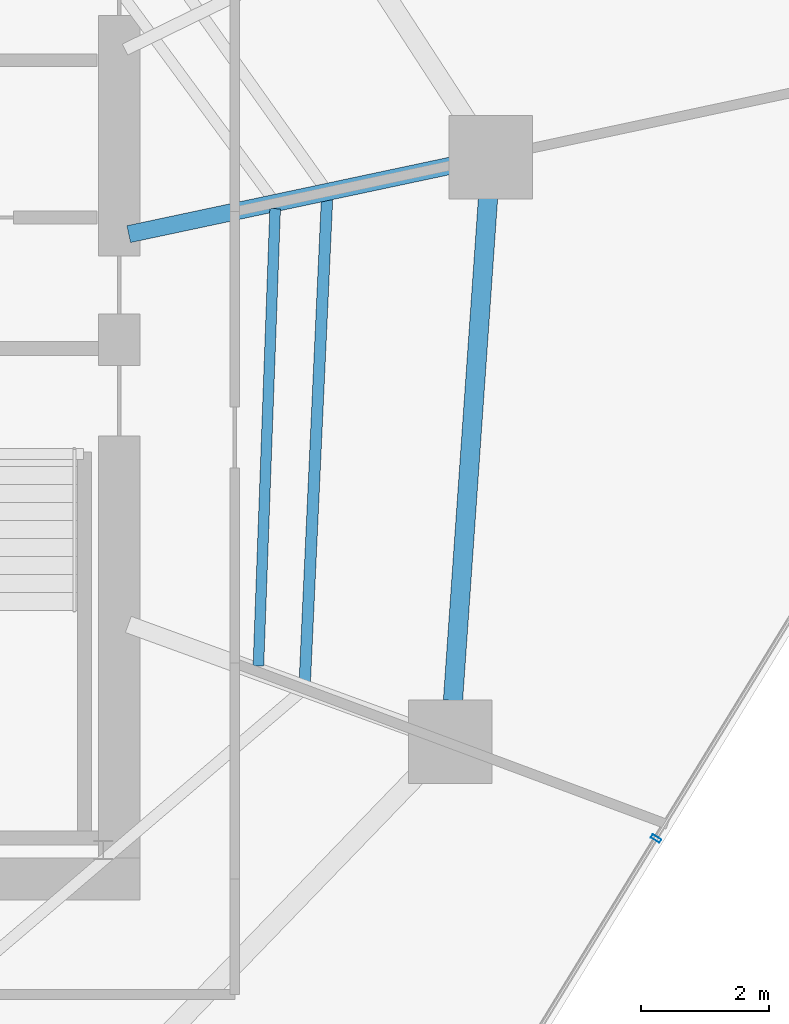
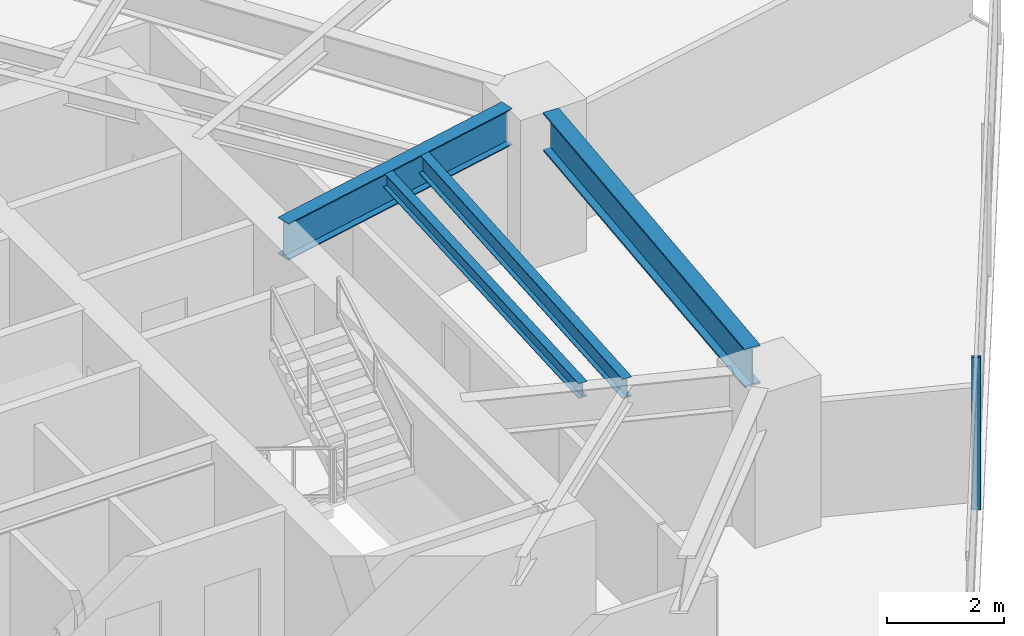
# One storey, part 13 of 30: 4 beams, 1 member, 1 element without a shape of its own.
"""IFC4 building model written with IfcOpenShell, lengths in metres."""

import ifcopenshell
import ifcopenshell.guid

model = None  # the IFC model being written
_history = None  # IfcOwnerHistory: only IFC2X3 demands one
_inside = {}  # id of a spatial element -> (the spatial element, [elements in it])
_under = {}  # id of a project, library or spatial element -> (it, [spatial elements below it])
_declared = {}  # id of a project -> (the project, [libraries it declares])
_typed = {}  # id of a type object -> (the type object, [elements of that type])
_made_of = {}  # id of a material, layer set ... -> (it, [elements and type objects made of it])


def new_model(schema):
    """Start an empty IFC model of exactly this schema.

    Asked for "IFC4X3", IfcOpenShell would pick the latest addendum, in which some entities
    have other attributes; the version numbers below select the first issue.
    IFC2X3 requires an IfcOwnerHistory on every rooted entity: one is made here for all.
    """
    global model, _history
    if schema == "IFC4X3":
        model = ifcopenshell.file(schema_version=(4, 3, 0, 0))
    else:
        model = ifcopenshell.file(schema=schema)
    _inside.clear()
    _under.clear()
    _declared.clear()
    _typed.clear()
    _made_of.clear()
    _history = None
    if model.schema == "IFC2X3":
        org = make("IfcOrganization", Name="unknown")
        user = make(
            "IfcPersonAndOrganization",
            ThePerson=make("IfcPerson", FamilyName="unknown"),
            TheOrganization=org,
        )
        app = make(
            "IfcApplication",
            ApplicationDeveloper=org,
            Version="unknown",
            ApplicationFullName="unknown",
            ApplicationIdentifier="unknown",
        )
        _history = make(
            "IfcOwnerHistory",
            OwningUser=user,
            OwningApplication=app,
            ChangeAction="ADDED",
            CreationDate=0,
        )
    return model


def make(cls, **values):
    """One entity of the class cls with the attributes given. An attribute that is None is left unset."""
    return model.create_entity(
        cls, **{name: value for name, value in values.items() if value is not None}
    )


def rooted(cls, **values):
    """An entity with a GlobalId (a new one), such as an element, a storey or a relation."""
    return make(cls, GlobalId=ifcopenshell.guid.new(), OwnerHistory=_history, **values)


def si_unit(unit_type, name, prefix=None):
    """IfcSIUnit, for example si_unit("LENGTHUNIT", "METRE", prefix="MILLI")."""
    return make("IfcSIUnit", UnitType=unit_type, Prefix=prefix, Name=name)


def assignment(units):
    """IfcUnitAssignment: the units of a project."""
    return None if units is None else make("IfcUnitAssignment", Units=units)


def point(xyz):
    """IfcCartesianPoint."""
    return None if xyz is None else make("IfcCartesianPoint", Coordinates=xyz)


def direction(xyz):
    """IfcDirection."""
    return None if xyz is None else make("IfcDirection", DirectionRatios=xyz)


def frame(location, z_axis=None, x_axis=None):
    """IfcAxis2Placement3D, a coordinate frame: its origin and axes. An axis left out is left unset."""
    return make(
        "IfcAxis2Placement3D",
        Location=point(location),
        Axis=direction(z_axis),
        RefDirection=direction(x_axis),
    )


def frame_2d(location, x_axis=None):
    """IfcAxis2Placement2D, a coordinate frame in the plane: its origin and x axis."""
    return make(
        "IfcAxis2Placement2D", Location=point(location), RefDirection=direction(x_axis)
    )


def origin():
    """The frame at (0, 0, 0) with its axes left unset."""
    return frame((0.0, 0.0, 0.0))


def origin_2d():
    """The frame at (0, 0) in the plane with its x axis left unset."""
    return frame_2d((0.0, 0.0))


def place(relative_to, where):
    """IfcLocalPlacement: puts the frame where relative to a parent placement (None: the world)."""
    return make(
        "IfcLocalPlacement", PlacementRelTo=relative_to, RelativePlacement=where
    )


def context(
    kind, dimensions, precision=None, world=None, true_north=None, identifier=None
):
    """IfcGeometricRepresentationContext, for example the 3D "Model" context."""
    return make(
        "IfcGeometricRepresentationContext",
        ContextIdentifier=identifier,
        ContextType=kind,
        CoordinateSpaceDimension=dimensions,
        Precision=precision,
        WorldCoordinateSystem=world,
        TrueNorth=true_north,
    )


def subcontext(parent, identifier, kind, view, scale=None):
    """IfcGeometricRepresentationSubContext, for example "Body" below "Model"."""
    return make(
        "IfcGeometricRepresentationSubContext",
        ContextIdentifier=identifier,
        ContextType=kind,
        ParentContext=parent,
        TargetScale=scale,
        TargetView=view,
    )


def project(units=None, contexts=None):
    """IfcProject with its units and contexts."""
    return rooted(
        "IfcProject",
        Name="project",
        RepresentationContexts=contexts,
        UnitsInContext=assignment(units),
    )


def spatial(cls, under=None, at=None, **own):
    """A site, building, storey or space (cls), placed at a placement, below another one or the project."""
    s = rooted(cls, ObjectPlacement=at, **own)
    if under is not None:
        _under.setdefault(under.id(), (under, []))[1].append(s)
    return s


def profile(cls, at=None, kind="AREA", **sizes):
    """A parametric profile (cls). Its sizes go by their IFC names, for example OverallWidth=200.0."""
    return make(cls, ProfileType=kind, Position=at, **sizes)


def hollow_rectangle(**sizes):
    """IfcRectangleHollowProfileDef."""
    return profile("IfcRectangleHollowProfileDef", **sizes)


def i_section(**sizes):
    """IfcIShapeProfileDef."""
    return profile("IfcIShapeProfileDef", **sizes)


def extrude(swept, where, along, depth):
    """IfcExtrudedAreaSolid: the profile swept, set in the frame where, extruded along a direction by depth."""
    return make(
        "IfcExtrudedAreaSolid",
        SweptArea=swept,
        Position=where,
        ExtrudedDirection=direction(along),
        Depth=depth,
    )


def shape(context_of_items, identifier, shape_type, items):
    """IfcShapeRepresentation: the items that make up one representation, for example the "Body"."""
    return make(
        "IfcShapeRepresentation",
        ContextOfItems=context_of_items,
        RepresentationIdentifier=identifier,
        RepresentationType=shape_type,
        Items=items,
    )


def material(Name=None, Category=None):
    """IfcMaterial."""
    return make("IfcMaterial", Name=Name, Category=Category)


def layer(
    of_material, thickness, ventilated=None, Name=None, Category=None, Priority=None
):
    """IfcMaterialLayer: one layer of a wall or slab, of a material (None: an air gap)."""
    return make(
        "IfcMaterialLayer",
        Material=of_material,
        LayerThickness=thickness,
        IsVentilated=ventilated,
        Name=Name,
        Category=Category,
        Priority=Priority,
    )


def layer_set(layers, Name=None):
    """IfcMaterialLayerSet."""
    return make("IfcMaterialLayerSet", MaterialLayers=layers, LayerSetName=Name)


def material_profile(
    of_material, cross_section, Name=None, Category=None, Priority=None
):
    """IfcMaterialProfile: a cross section and its material."""
    return make(
        "IfcMaterialProfile",
        Name=Name,
        Material=of_material,
        Profile=cross_section,
        Priority=Priority,
        Category=Category,
    )


def profile_set(profiles, Name=None, composite=None):
    """IfcMaterialProfileSet."""
    return make(
        "IfcMaterialProfileSet",
        Name=Name,
        MaterialProfiles=profiles,
        CompositeProfile=composite,
    )


def made_of(thing, what):
    """Note that an element or type object is made of a material, layer set ...; save() writes the relation."""
    if what is not None:
        _made_of.setdefault(what.id(), (what, []))[1].append(thing)
    return thing


def type_object(cls, material=None, **own):
    """A type object (cls), such as IfcWallType, which elements share."""
    return made_of(rooted(cls, **own), material)


def element(
    cls,
    number,
    at=None,
    inside=None,
    cuts=None,
    type_object=None,
    material=None,
    context=None,
    identifier="Body",
    shape_type=None,
    held_by="IfcProductDefinitionShape",
    body=None,
    shapes=None,
    **own,
):
    """One element of the class cls, such as IfcWall. Its Tag is "e" and its number.

    at: its placement. inside: the storey or other place that contains it. cuts: it is an
    opening in that element (IfcRelVoidsElement). A single representation is given by context,
    identifier, shape_type and body (its items); several are given by shapes. held_by: the class
    of the entity that holds the representations. save() writes the other relations.
    """
    e = rooted(cls, Tag="e%d" % number, ObjectPlacement=at, **own)
    if body is not None:
        shapes = [shape(context, identifier, shape_type, body)]
    if shapes is not None:
        e.Representation = make(held_by, Representations=shapes)
    if inside is not None:
        _inside.setdefault(inside.id(), (inside, []))[1].append(e)
    if cuts is not None:
        rooted(
            "IfcRelVoidsElement", RelatingBuildingElement=cuts, RelatedOpeningElement=e
        )
    if type_object is not None:
        _typed.setdefault(type_object.id(), (type_object, []))[1].append(e)
    return made_of(e, material)


def aggregate(whole, parts):
    """IfcRelAggregates: a whole, such as a stair, and the parts it consists of."""
    return rooted("IfcRelAggregates", RelatingObject=whole, RelatedObjects=parts)


def save(model, path):
    """Write the relations noted so far, then the file.

    IfcRelAggregates (storeys below a building ...), IfcRelContainedInSpatialStructure (elements
    in a storey), IfcRelDefinesByType, IfcRelAssociatesMaterial and IfcRelDeclares: one each for
    every whole, place, type object, material and project.
    """
    for whole, parts in _under.values():
        aggregate(whole, parts)
    for where, things in _inside.values():
        rooted(
            "IfcRelContainedInSpatialStructure",
            RelatedElements=things,
            RelatingStructure=where,
        )
    for kind, things in _typed.values():
        rooted("IfcRelDefinesByType", RelatedObjects=things, RelatingType=kind)
    for what, things in _made_of.values():
        rooted("IfcRelAssociatesMaterial", RelatedObjects=things, RelatingMaterial=what)
    for by, libraries in _declared.values():
        rooted("IfcRelDeclares", RelatingContext=by, RelatedDefinitions=libraries)
    model.write(path)


model = new_model("IFC4")

# Units and contexts
model_context = context("Model", 3, precision=1e-05, world=origin(), true_north=direction((0.0, 1.0)))
body_context = subcontext(model_context, "Body", "Model", "MODEL_VIEW")
ifc_project = project(units=[si_unit("LENGTHUNIT", "METRE"), si_unit("AREAUNIT", "SQUARE_METRE"), si_unit("VOLUMEUNIT", "CUBIC_METRE"), si_unit("PLANEANGLEUNIT", "RADIAN"), si_unit("MASSUNIT", "GRAM", prefix="KILO")], contexts=[model_context])

# Site, building, storey
site_placement = place(None, origin())
site = spatial("IfcSite", under=ifc_project, at=site_placement, CompositionType="ELEMENT")
building_placement = place(site_placement, origin())
building = spatial("IfcBuilding", under=site, at=building_placement, Name="Qarnah Convention Tower", CompositionType="ELEMENT")
storey_placement = place(building_placement, frame((0.0, 0.0, 61.5)))
storey = spatial("IfcBuildingStorey", under=building, at=storey_placement, Name="L15", CompositionType="ELEMENT", Elevation=61.5)

# Beams
ifc_material_1 = material(Name="Structural steel S355JR", Category="steel")
ifc_material_profile_1 = material_profile(ifc_material_1, i_section(OverallWidth=0.166015625, OverallDepth=0.31201171875, WebThickness=0.007080078125, FlangeThickness=0.010986328125, at=origin_2d()), Name="W310X45")
ifc_profile_set_1 = profile_set([ifc_material_profile_1], Name="Structural steel S355JR")
beam_type_1 = type_object("IfcBeamType", Name="BM-JST-W310", PredefinedType="JOIST", material=ifc_profile_set_1)
beam_1_placement = place(storey_placement, frame((49.76708984375, 21.91796875, 3.013916015625), z_axis=(0.036630180467, 0.999328889745, 0.0), x_axis=(-0.999328889745, 0.036630180467, 0.0)))
element("IfcBeam", 1, at=beam_1_placement, inside=storey, type_object=beam_type_1, Name="L15 joist BM-L15-IJST-09", PredefinedType="JOIST", context=body_context, shape_type="SweptSolid", body=[
    extrude(i_section(OverallWidth=0.166015625, OverallDepth=0.31201171875, WebThickness=0.007080078125, FlangeThickness=0.010986328125, at=origin_2d()), origin(), (0.0, 0.0, 1.0), 7.125),
])
ifc_material_profile_2 = material_profile(ifc_material_1, i_section(OverallWidth=0.177978515625, OverallDepth=0.407958984375, WebThickness=0.008056640625, FlangeThickness=0.012939453125, at=origin_2d()), Name="W410X60")
ifc_profile_set_2 = profile_set([ifc_material_profile_2], Name="Structural steel S355JR")
beam_type_2 = type_object("IfcBeamType", Name="BM-JST-W410", PredefinedType="JOIST", material=ifc_profile_set_2)
beam_2_placement = place(storey_placement, frame((50.489013671875, 21.655029296875, 2.966064453125), z_axis=(0.046000694975, 0.998941407722, 0.0), x_axis=(-0.998941407722, 0.046000694975, 0.0)))
element("IfcBeam", 2, at=beam_2_placement, inside=storey, type_object=beam_type_2, Name="L15 joist BM-L15-SJST-09", PredefinedType="JOIST", context=body_context, shape_type="SweptSolid", body=[
    extrude(i_section(OverallWidth=0.177978515625, OverallDepth=0.407958984375, WebThickness=0.008056640625, FlangeThickness=0.012939453125, at=origin_2d()), origin(), (0.0, 0.0, 1.0), 7.56298828125),
])
ifc_material_profile_3 = material_profile(ifc_material_1, i_section(OverallWidth=0.26806640625, OverallDepth=0.760009765625, WebThickness=0.014892578125, FlangeThickness=0.02197265625, at=origin_2d()), Name="W760X185")
ifc_profile_set_3 = profile_set([ifc_material_profile_3], Name="Structural steel S355JR")
beam_type_3 = type_object("IfcBeamType", Name="BM-RAD-W760", PredefinedType="BEAM", material=ifc_profile_set_3)
beam_3_placement = place(storey_placement, frame((47.7470703125, 28.64208984375, 2.7900390625), z_axis=(0.978155710431, 0.207873534031, 0.0), x_axis=(-0.207873534031, 0.978155710431, 0.0)))
element("IfcBeam", 3, at=beam_3_placement, inside=storey, type_object=beam_type_3, Name="L15 beam BM-L15-RAD-01", PredefinedType="BEAM", context=body_context, shape_type="SweptSolid", body=[
    extrude(i_section(OverallWidth=0.26806640625, OverallDepth=0.760009765625, WebThickness=0.014892578125, FlangeThickness=0.02197265625, at=origin_2d()), origin(), (0.0, 0.0, 1.0), 5.13720703125),
])
ifc_material_profile_4 = material_profile(ifc_material_1, i_section(OverallWidth=0.300048828125, OverallDepth=0.800048828125, WebThickness=0.01806640625, FlangeThickness=0.032958984375, at=origin_2d()), Name="HEB800")
ifc_profile_set_4 = profile_set([ifc_material_profile_4], Name="Structural steel S355JR")
beam_type_4 = type_object("IfcBeamType", Name="BM-RING-HEB800", PredefinedType="BEAM", material=ifc_profile_set_4)
beam_4_placement = place(storey_placement, frame((52.797119140625, 21.3779296875, 2.77001953125), z_axis=(0.069594661237, 0.997575352105, 0.0), x_axis=(-0.997575352105, 0.069594661237, 0.0)))
element("IfcBeam", 4, at=beam_4_placement, inside=storey, type_object=beam_type_4, Name="L15 beam BM-L15-SPN-09", PredefinedType="BEAM", context=body_context, shape_type="SweptSolid", body=[
    extrude(i_section(OverallWidth=0.300048828125, OverallDepth=0.800048828125, WebThickness=0.01806640625, FlangeThickness=0.032958984375, at=origin_2d()), origin(), (0.0, 0.0, 1.0), 7.843994140625),
])

# Curtain wall, member
ifc_material_2 = material(Name="Tempered Low-E dark glass", Category="glass")
ifc_layer = layer(ifc_material_2, 0.16796875)
ifc_layer_set = layer_set([ifc_layer], Name="Tempered Low-E dark glass")
curtain_wall_type = type_object("IfcCurtainWallType", Name="CWS-01", PredefinedType="NOTDEFINED", material=ifc_layer_set)
curtain_wall_placement = place(storey_placement, origin())
curtain_wall = element("IfcCurtainWall", 5, at=curtain_wall_placement, inside=storey, type_object=curtain_wall_type, Name="L15 unitised curtain wall CW-L15-F2", PredefinedType="NOTDEFINED")
ifc_material_3 = material(Name="Black anodised aluminium", Category="aluminium")
ifc_material_profile_5 = material_profile(ifc_material_3, hollow_rectangle(XDim=0.06005859375, YDim=0.159912109375, WallThickness=0.00390625, at=origin_2d()), Name="MUL-60X160")
ifc_profile_set_5 = profile_set([ifc_material_profile_5], Name="Black anodised aluminium")
member_type = type_object("IfcMemberType", Name="MUL-T1", PredefinedType="MULLION", material=ifc_profile_set_5)
member_placement = place(storey_placement, frame((55.959716796875, 19.2294921875, 0.0), z_axis=(0.0, 0.0, 1.0), x_axis=(-0.52160777824, -0.853185399359, 0.0)))
member = element("IfcMember", 6, at=member_placement, type_object=member_type, Name="CW-L15-F2 mullion 3", PredefinedType="MULLION", context=body_context, shape_type="SweptSolid", body=[
    extrude(hollow_rectangle(XDim=0.06005859375, YDim=0.159912109375, WallThickness=0.00390625, at=origin_2d()), origin(), (0.0, 0.0, 1.0), 3.169921875),
])
aggregate(curtain_wall, [member])

save(model, "model.ifc")
